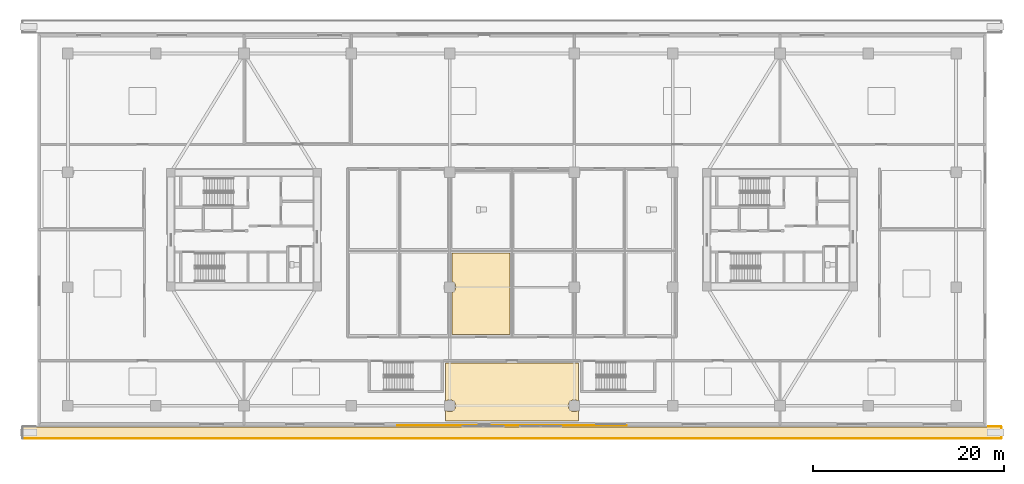
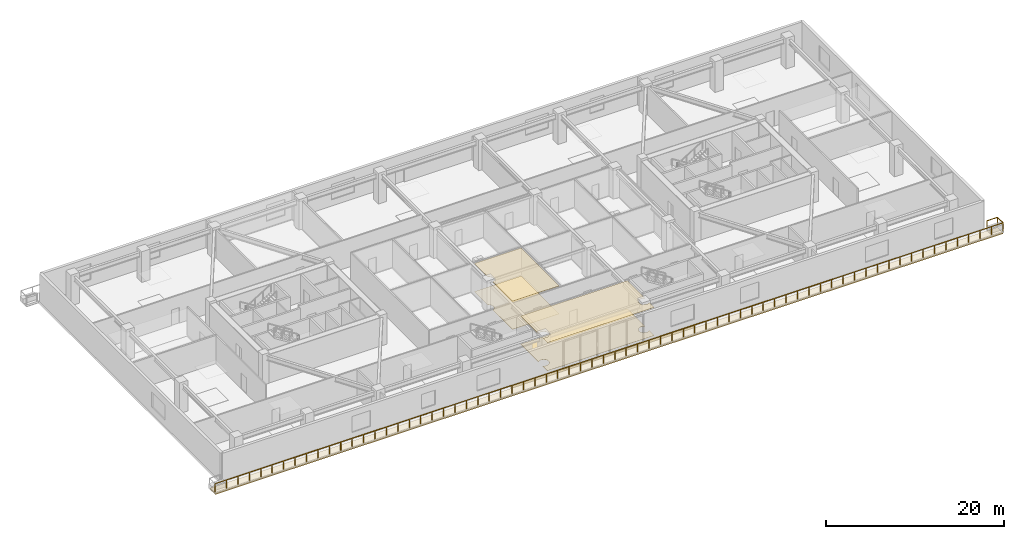
# One storey, part 15 of 22: 6 coverings, 1 railing.
"""IFC4 building model written with IfcOpenShell, lengths in metres."""

from ifc_helpers import new_model, si_unit, direction, frame, origin, origin_2d, place, context, subcontext, project, spatial, polyline, rectangle, outline, extrude, source, transform, mapped, material, layer, layer_set, type_object, type_shapes, element, save


model = new_model("IFC4")

# Units and contexts
model_context = context("Model", 3, precision=1e-05, world=origin(), true_north=direction((0.0, 1.0)))
body_context = subcontext(model_context, "Body", "Model", "MODEL_VIEW")
ifc_project = project(units=[si_unit("LENGTHUNIT", "METRE"), si_unit("AREAUNIT", "SQUARE_METRE"), si_unit("VOLUMEUNIT", "CUBIC_METRE"), si_unit("PLANEANGLEUNIT", "RADIAN"), si_unit("MASSUNIT", "GRAM", prefix="KILO")], contexts=[model_context])

# Site, building, storey
site_placement = place(None, origin())
site = spatial("IfcSite", under=ifc_project, at=site_placement, CompositionType="ELEMENT")
building_placement = place(site_placement, origin())
building = spatial("IfcBuilding", under=site, at=building_placement, Name="Norrkilde Senior Care Towers", CompositionType="ELEMENT")
storey_placement = place(building_placement, frame((0.0, 0.0, 12.60009765625)))
storey = spatial("IfcBuildingStorey", under=building, at=storey_placement, Name="L03", CompositionType="ELEMENT", Elevation=12.60009765625)

# Covering
ifc_material_1 = material(Name="Nordic Ash Timber", Category="wood")
ifc_layer_1 = layer(ifc_material_1, 0.044921875)
ifc_layer_set_1 = layer_set([ifc_layer_1], Name="Nordic Ash Timber")
covering_type_1 = type_object("IfcCoveringType", Name="Acoustic Ash Timber Slatted Ceiling 45", PredefinedType="CEILING", material=ifc_layer_set_1)
covering_1_placement = place(storey_placement, frame((0.0, 0.0, 3.8349609375)))
element("IfcCovering", 1, at=covering_1_placement, inside=storey, type_object=covering_type_1, Name="L03 Suspended Ceiling 0078", PredefinedType="CEILING", context=body_context, shape_type="SweptSolid", body=[
    extrude(outline(polyline([(-0.219970703125, -10.97998046875), (-6.280029296875, -10.97998046875), (-6.280029296875, -6.5849609375), (-6.18505859375, -6.545654296875), (-6.054443359375, -6.445556640625), (-5.954345703125, -6.31494140625), (-5.891357421875, -6.1630859375), (-5.8701171875, -6.0), (-5.891357421875, -5.8369140625), (-5.954345703125, -5.68505859375), (-6.054443359375, -5.554443359375), (-6.18505859375, -5.454345703125), (-6.280029296875, -5.4150390625), (-6.280029296875, -2.419921875), (-0.219970703125, -2.419921875), (-0.219970703125, -10.97998046875)])), origin(), (0.0, 0.0, 1.0), 0.044921875),
])

# Railing
ifc_material_2 = material(Name="Anodised Aluminium", Category="aluminium")
railing_type = type_object("IfcRailingType", Name="Balcony Swirl Ribbon Guardrail 1150", PredefinedType="GUARDRAIL", material=ifc_material_2)
railing_placement = place(storey_placement, frame((49.758544921875, -20.5849609375, 0.0)))
element("IfcRailing", 2, at=railing_placement, inside=storey, type_object=railing_type, Name="L03 Perimeter Safety Guard 02", PredefinedType="GUARDRAIL", context=body_context, shape_type="SweptSolid", body=[
    extrude(rectangle(XDim=0.048095703125, YDim=0.048095703125, at=origin_2d()), frame((0.0, 0.0, 1.1259765625), z_axis=(1.0, 0.0, 0.0), x_axis=(0.0, 1.0, 0.0)), (0.0, 0.0, 1.0), 1.32080078125),
    extrude(rectangle(XDim=0.048095703125, YDim=0.048095703125, at=origin_2d()), frame((1.361572265625, -0.040771484375, 1.1259765625), z_axis=(0.0, -1.0, 0.0), x_axis=(1.0, 0.0, 0.0)), (0.0, 0.0, 1.0), 1.1533203125),
    extrude(rectangle(XDim=0.048095703125, YDim=0.048095703125, at=origin_2d()), frame((1.32080078125, -1.235107421875, 1.1259765625), z_axis=(-1.0, 0.0, 0.0), x_axis=(0.0, -1.0, 0.0)), (0.0, 0.0, 1.0), 102.199462890625),
    extrude(rectangle(XDim=0.0419921875, YDim=0.0419921875, at=origin_2d()), origin(), (0.0, 0.0, 1.0), 1.099853515625),
    extrude(rectangle(XDim=0.0419921875, YDim=0.0419921875, at=origin_2d()), frame((1.361572265625, 0.0, 0.0)), (0.0, 0.0, 1.0), 1.099853515625),
    extrude(rectangle(XDim=0.0419921875, YDim=0.0419921875, at=origin_2d()), frame((1.361572265625, -1.235107421875, 0.0)), (0.0, 0.0, 1.0), 1.099853515625),
    extrude(rectangle(XDim=0.0419921875, YDim=0.0419921875, at=origin_2d()), frame((-0.1201171875, -1.235107421875, 0.0)), (0.0, 0.0, 1.0), 1.099853515625),
    extrude(rectangle(XDim=0.0419921875, YDim=0.0419921875, at=origin_2d()), frame((-1.601806640625, -1.235107421875, 0.0)), (0.0, 0.0, 1.0), 1.099853515625),
    extrude(rectangle(XDim=0.0419921875, YDim=0.0419921875, at=origin_2d()), frame((-3.083740234375, -1.235107421875, 0.0)), (0.0, 0.0, 1.0), 1.099853515625),
    extrude(rectangle(XDim=0.0419921875, YDim=0.0419921875, at=origin_2d()), frame((-4.5654296875, -1.235107421875, 0.0)), (0.0, 0.0, 1.0), 1.099853515625),
    extrude(rectangle(XDim=0.0419921875, YDim=0.0419921875, at=origin_2d()), frame((-6.047119140625, -1.235107421875, 0.0)), (0.0, 0.0, 1.0), 1.099853515625),
    extrude(rectangle(XDim=0.0419921875, YDim=0.0419921875, at=origin_2d()), frame((-7.52880859375, -1.235107421875, 0.0)), (0.0, 0.0, 1.0), 1.099853515625),
    extrude(rectangle(XDim=0.0419921875, YDim=0.0419921875, at=origin_2d()), frame((-9.0107421875, -1.235107421875, 0.0)), (0.0, 0.0, 1.0), 1.099853515625),
    extrude(rectangle(XDim=0.0419921875, YDim=0.0419921875, at=origin_2d()), frame((-10.492431640625, -1.235107421875, 0.0)), (0.0, 0.0, 1.0), 1.099853515625),
    extrude(rectangle(XDim=0.0419921875, YDim=0.0419921875, at=origin_2d()), frame((-11.97412109375, -1.235107421875, 0.0)), (0.0, 0.0, 1.0), 1.099853515625),
    extrude(rectangle(XDim=0.0419921875, YDim=0.0419921875, at=origin_2d()), frame((-13.455810546875, -1.235107421875, 0.0)), (0.0, 0.0, 1.0), 1.099853515625),
    extrude(rectangle(XDim=0.0419921875, YDim=0.0419921875, at=origin_2d()), frame((-14.9375, -1.235107421875, 0.0)), (0.0, 0.0, 1.0), 1.099853515625),
    extrude(rectangle(XDim=0.0419921875, YDim=0.0419921875, at=origin_2d()), frame((-16.41943359375, -1.235107421875, 0.0)), (0.0, 0.0, 1.0), 1.099853515625),
    extrude(rectangle(XDim=0.0419921875, YDim=0.0419921875, at=origin_2d()), frame((-17.901123046875, -1.235107421875, 0.0)), (0.0, 0.0, 1.0), 1.099853515625),
    extrude(rectangle(XDim=0.0419921875, YDim=0.0419921875, at=origin_2d()), frame((-19.3828125, -1.235107421875, 0.0)), (0.0, 0.0, 1.0), 1.099853515625),
    extrude(rectangle(XDim=0.0419921875, YDim=0.0419921875, at=origin_2d()), frame((-20.864501953125, -1.235107421875, 0.0)), (0.0, 0.0, 1.0), 1.099853515625),
    extrude(rectangle(XDim=0.0419921875, YDim=0.0419921875, at=origin_2d()), frame((-22.34619140625, -1.235107421875, 0.0)), (0.0, 0.0, 1.0), 1.099853515625),
    extrude(rectangle(XDim=0.0419921875, YDim=0.0419921875, at=origin_2d()), frame((-23.828125, -1.235107421875, 0.0)), (0.0, 0.0, 1.0), 1.099853515625),
    extrude(rectangle(XDim=0.0419921875, YDim=0.0419921875, at=origin_2d()), frame((-25.309814453125, -1.235107421875, 0.0)), (0.0, 0.0, 1.0), 1.099853515625),
    extrude(rectangle(XDim=0.0419921875, YDim=0.0419921875, at=origin_2d()), frame((-26.79150390625, -1.235107421875, 0.0)), (0.0, 0.0, 1.0), 1.099853515625),
    extrude(rectangle(XDim=0.0419921875, YDim=0.0419921875, at=origin_2d()), frame((-28.273193359375, -1.235107421875, 0.0)), (0.0, 0.0, 1.0), 1.099853515625),
    extrude(rectangle(XDim=0.0419921875, YDim=0.0419921875, at=origin_2d()), frame((-29.755126953125, -1.235107421875, 0.0)), (0.0, 0.0, 1.0), 1.099853515625),
    extrude(rectangle(XDim=0.0419921875, YDim=0.0419921875, at=origin_2d()), frame((-31.23681640625, -1.235107421875, 0.0)), (0.0, 0.0, 1.0), 1.099853515625),
    extrude(rectangle(XDim=0.0419921875, YDim=0.0419921875, at=origin_2d()), frame((-32.718505859375, -1.235107421875, 0.0)), (0.0, 0.0, 1.0), 1.099853515625),
    extrude(rectangle(XDim=0.0419921875, YDim=0.0419921875, at=origin_2d()), frame((-34.2001953125, -1.235107421875, 0.0)), (0.0, 0.0, 1.0), 1.099853515625),
    extrude(rectangle(XDim=0.0419921875, YDim=0.0419921875, at=origin_2d()), frame((-35.681884765625, -1.235107421875, 0.0)), (0.0, 0.0, 1.0), 1.099853515625),
    extrude(rectangle(XDim=0.0419921875, YDim=0.0419921875, at=origin_2d()), frame((-37.163818359375, -1.235107421875, 0.0)), (0.0, 0.0, 1.0), 1.099853515625),
    extrude(rectangle(XDim=0.0419921875, YDim=0.0419921875, at=origin_2d()), frame((-38.6455078125, -1.235107421875, 0.0)), (0.0, 0.0, 1.0), 1.099853515625),
    extrude(rectangle(XDim=0.0419921875, YDim=0.0419921875, at=origin_2d()), frame((-40.127197265625, -1.235107421875, 0.0)), (0.0, 0.0, 1.0), 1.099853515625),
    extrude(rectangle(XDim=0.0419921875, YDim=0.0419921875, at=origin_2d()), frame((-41.60888671875, -1.235107421875, 0.0)), (0.0, 0.0, 1.0), 1.099853515625),
    extrude(rectangle(XDim=0.0419921875, YDim=0.0419921875, at=origin_2d()), frame((-43.0908203125, -1.235107421875, 0.0)), (0.0, 0.0, 1.0), 1.099853515625),
    extrude(rectangle(XDim=0.0419921875, YDim=0.0419921875, at=origin_2d()), frame((-44.572509765625, -1.235107421875, 0.0)), (0.0, 0.0, 1.0), 1.099853515625),
    extrude(rectangle(XDim=0.0419921875, YDim=0.0419921875, at=origin_2d()), frame((-46.05419921875, -1.235107421875, 0.0)), (0.0, 0.0, 1.0), 1.099853515625),
    extrude(rectangle(XDim=0.0419921875, YDim=0.0419921875, at=origin_2d()), frame((-47.535888671875, -1.235107421875, 0.0)), (0.0, 0.0, 1.0), 1.099853515625),
    extrude(rectangle(XDim=0.0419921875, YDim=0.0419921875, at=origin_2d()), frame((-49.017578125, -1.235107421875, 0.0)), (0.0, 0.0, 1.0), 1.099853515625),
    extrude(rectangle(XDim=0.0419921875, YDim=0.0419921875, at=origin_2d()), frame((-50.49951171875, -1.235107421875, 0.0)), (0.0, 0.0, 1.0), 1.099853515625),
    extrude(rectangle(XDim=0.0419921875, YDim=0.0419921875, at=origin_2d()), frame((-51.981201171875, -1.235107421875, 0.0)), (0.0, 0.0, 1.0), 1.099853515625),
    extrude(rectangle(XDim=0.0419921875, YDim=0.0419921875, at=origin_2d()), frame((-53.462890625, -1.235107421875, 0.0)), (0.0, 0.0, 1.0), 1.099853515625),
    extrude(rectangle(XDim=0.0419921875, YDim=0.0419921875, at=origin_2d()), frame((-54.944580078125, -1.235107421875, 0.0)), (0.0, 0.0, 1.0), 1.099853515625),
    extrude(rectangle(XDim=0.0419921875, YDim=0.0419921875, at=origin_2d()), frame((-56.42626953125, -1.235107421875, 0.0)), (0.0, 0.0, 1.0), 1.099853515625),
    extrude(rectangle(XDim=0.0419921875, YDim=0.0419921875, at=origin_2d()), frame((-57.908203125, -1.235107421875, 0.0)), (0.0, 0.0, 1.0), 1.099853515625),
    extrude(rectangle(XDim=0.0419921875, YDim=0.0419921875, at=origin_2d()), frame((-59.389892578125, -1.235107421875, 0.0)), (0.0, 0.0, 1.0), 1.099853515625),
    extrude(rectangle(XDim=0.0419921875, YDim=0.0419921875, at=origin_2d()), frame((-60.87158203125, -1.235107421875, 0.0)), (0.0, 0.0, 1.0), 1.099853515625),
    extrude(rectangle(XDim=0.0419921875, YDim=0.0419921875, at=origin_2d()), frame((-62.353271484375, -1.235107421875, 0.0)), (0.0, 0.0, 1.0), 1.099853515625),
    extrude(rectangle(XDim=0.0419921875, YDim=0.0419921875, at=origin_2d()), frame((-63.835205078125, -1.235107421875, 0.0)), (0.0, 0.0, 1.0), 1.099853515625),
    extrude(rectangle(XDim=0.0419921875, YDim=0.0419921875, at=origin_2d()), frame((-65.31689453125, -1.235107421875, 0.0)), (0.0, 0.0, 1.0), 1.099853515625),
    extrude(rectangle(XDim=0.0419921875, YDim=0.0419921875, at=origin_2d()), frame((-66.798583984375, -1.235107421875, 0.0)), (0.0, 0.0, 1.0), 1.099853515625),
    extrude(rectangle(XDim=0.0419921875, YDim=0.0419921875, at=origin_2d()), frame((-68.2802734375, -1.235107421875, 0.0)), (0.0, 0.0, 1.0), 1.099853515625),
    extrude(rectangle(XDim=0.0419921875, YDim=0.0419921875, at=origin_2d()), frame((-69.761962890625, -1.235107421875, 0.0)), (0.0, 0.0, 1.0), 1.099853515625),
    extrude(rectangle(XDim=0.0419921875, YDim=0.0419921875, at=origin_2d()), frame((-71.243896484375, -1.235107421875, 0.0)), (0.0, 0.0, 1.0), 1.099853515625),
    extrude(rectangle(XDim=0.0419921875, YDim=0.0419921875, at=origin_2d()), frame((-72.7255859375, -1.235107421875, 0.0)), (0.0, 0.0, 1.0), 1.099853515625),
    extrude(rectangle(XDim=0.0419921875, YDim=0.0419921875, at=origin_2d()), frame((-74.207275390625, -1.235107421875, 0.0)), (0.0, 0.0, 1.0), 1.099853515625),
    extrude(rectangle(XDim=0.0419921875, YDim=0.0419921875, at=origin_2d()), frame((-75.68896484375, -1.235107421875, 0.0)), (0.0, 0.0, 1.0), 1.099853515625),
    extrude(rectangle(XDim=0.0419921875, YDim=0.0419921875, at=origin_2d()), frame((-77.1708984375, -1.235107421875, 0.0)), (0.0, 0.0, 1.0), 1.099853515625),
    extrude(rectangle(XDim=0.0419921875, YDim=0.0419921875, at=origin_2d()), frame((-78.652587890625, -1.235107421875, 0.0)), (0.0, 0.0, 1.0), 1.099853515625),
    extrude(rectangle(XDim=0.0419921875, YDim=0.0419921875, at=origin_2d()), frame((-80.13427734375, -1.235107421875, 0.0)), (0.0, 0.0, 1.0), 1.099853515625),
    extrude(rectangle(XDim=0.0419921875, YDim=0.0419921875, at=origin_2d()), frame((-81.615966796875, -1.235107421875, 0.0)), (0.0, 0.0, 1.0), 1.099853515625),
    extrude(rectangle(XDim=0.0419921875, YDim=0.0419921875, at=origin_2d()), frame((-83.09765625, -1.235107421875, 0.0)), (0.0, 0.0, 1.0), 1.099853515625),
    extrude(rectangle(XDim=0.0419921875, YDim=0.0419921875, at=origin_2d()), frame((-84.57958984375, -1.235107421875, 0.0)), (0.0, 0.0, 1.0), 1.099853515625),
    extrude(rectangle(XDim=0.0419921875, YDim=0.0419921875, at=origin_2d()), frame((-86.061279296875, -1.235107421875, 0.0)), (0.0, 0.0, 1.0), 1.099853515625),
    extrude(rectangle(XDim=0.0419921875, YDim=0.0419921875, at=origin_2d()), frame((-87.54296875, -1.235107421875, 0.0)), (0.0, 0.0, 1.0), 1.099853515625),
    extrude(rectangle(XDim=0.0419921875, YDim=0.0419921875, at=origin_2d()), frame((-89.024658203125, -1.235107421875, 0.0)), (0.0, 0.0, 1.0), 1.099853515625),
    extrude(rectangle(XDim=0.0419921875, YDim=0.0419921875, at=origin_2d()), frame((-90.50634765625, -1.235107421875, 0.0)), (0.0, 0.0, 1.0), 1.099853515625),
    extrude(rectangle(XDim=0.0419921875, YDim=0.0419921875, at=origin_2d()), frame((-91.98828125, -1.235107421875, 0.0)), (0.0, 0.0, 1.0), 1.099853515625),
    extrude(rectangle(XDim=0.0419921875, YDim=0.0419921875, at=origin_2d()), frame((-93.469970703125, -1.235107421875, 0.0)), (0.0, 0.0, 1.0), 1.099853515625),
    extrude(rectangle(XDim=0.0419921875, YDim=0.0419921875, at=origin_2d()), frame((-94.95166015625, -1.235107421875, 0.0)), (0.0, 0.0, 1.0), 1.099853515625),
    extrude(rectangle(XDim=0.0419921875, YDim=0.0419921875, at=origin_2d()), frame((-96.433349609375, -1.235107421875, 0.0)), (0.0, 0.0, 1.0), 1.099853515625),
    extrude(rectangle(XDim=0.0419921875, YDim=0.0419921875, at=origin_2d()), frame((-97.915283203125, -1.235107421875, 0.0)), (0.0, 0.0, 1.0), 1.099853515625),
    extrude(rectangle(XDim=0.0419921875, YDim=0.0419921875, at=origin_2d()), frame((-99.39697265625, -1.235107421875, 0.0)), (0.0, 0.0, 1.0), 1.099853515625),
    extrude(rectangle(XDim=0.0419921875, YDim=0.0419921875, at=origin_2d()), frame((-100.878662109375, -1.235107421875, 0.0)), (0.0, 0.0, 1.0), 1.099853515625),
])

# Coverings
ifc_material_3 = material(Name="EPDM Waterproofing and PIR Insulation")
ifc_layer_2 = layer(ifc_material_3, 0.159912109375)
ifc_layer_set_2 = layer_set([ifc_layer_2], Name="EPDM Waterproofing and PIR Insulation")
covering_type_2 = type_object("IfcCoveringType", Name="Insulated EPDM Roof Membrane 160", PredefinedType="ROOFING", material=ifc_layer_set_2)
covering_2_placement = place(storey_placement, frame((0.0, 0.0, -0.39013671875)))
element("IfcCovering", 3, at=covering_2_placement, inside=storey, type_object=covering_type_2, Name="L03 S Terrace Waterproof Membrane", PredefinedType="ROOFING", context=body_context, shape_type="SweptSolid", body=[
    extrude(outline(polyline([(-51.10009765625, -21.800048828125), (51.10009765625, -21.800048828125), (51.10009765625, -20.60498046875), (-51.10009765625, -20.60498046875), (-51.10009765625, -21.800048828125)])), origin(), (0.0, 0.0, 1.0), 0.16015625),
])
ifc_material_4 = material(Name="Gypsum Acoustic Board")
ifc_layer_3 = layer(ifc_material_4, 0.030029296875)
ifc_layer_set_3 = layer_set([ifc_layer_3], Name="Gypsum Acoustic Board")
covering_type_3 = type_object("IfcCoveringType", Name="Medical Cleanable Gypsum Ceiling 30", PredefinedType="CEILING", material=ifc_layer_set_3)
covering_3_placement = place(storey_placement, frame((0.0, 0.0, 3.849853515625)))
element("IfcCovering", 4, at=covering_3_placement, inside=storey, type_object=covering_type_3, Name="L03 Suspended Ceiling 0093", PredefinedType="CEILING", context=body_context, shape_type="SweptSolid", body=[
    extrude(outline(polyline([(-6.929931640625, -19.97998046875), (-6.929931640625, -18.857421875), (-6.81494140625, -18.945556640625), (-6.6630859375, -19.008544921875), (-6.5, -19.030029296875), (-6.3369140625, -19.008544921875), (-6.18505859375, -18.945556640625), (-6.054443359375, -18.845458984375), (-5.954345703125, -18.715087890625), (-5.891357421875, -18.56298828125), (-5.8701171875, -18.39990234375), (-5.891357421875, -18.237060546875), (-5.954345703125, -18.0849609375), (-6.054443359375, -17.95458984375), (-6.18505859375, -17.8544921875), (-6.3369140625, -17.79150390625), (-6.5, -17.77001953125), (-6.6630859375, -17.79150390625), (-6.81494140625, -17.8544921875), (-6.929931640625, -17.942626953125), (-6.929931640625, -13.93994140625), (6.929931640625, -13.93994140625), (6.929931640625, -17.942626953125), (6.81494140625, -17.8544921875), (6.6630859375, -17.79150390625), (6.5, -17.77001953125), (6.3369140625, -17.79150390625), (6.18505859375, -17.8544921875), (6.054443359375, -17.95458984375), (5.954345703125, -18.0849609375), (5.891357421875, -18.237060546875), (5.8701171875, -18.39990234375), (5.891357421875, -18.56298828125), (5.954345703125, -18.715087890625), (6.054443359375, -18.845458984375), (6.18505859375, -18.945556640625), (6.3369140625, -19.008544921875), (6.5, -19.030029296875), (6.6630859375, -19.008544921875), (6.81494140625, -18.945556640625), (6.929931640625, -18.857421875), (6.929931640625, -19.97998046875), (-6.929931640625, -19.97998046875)])), origin(), (0.0, 0.0, 1.0), 0.030029296875),
])
ifc_material_5 = material(Name="Slip-Resistant Porcelain Stone", Category="masonry")
ifc_layer_4 = layer(ifc_material_5, 0.02490234375)
ifc_layer_set_4 = layer_set([ifc_layer_4], Name="Slip-Resistant Porcelain Stone")
covering_type_4 = type_object("IfcCoveringType", Name="Slip-Resistant Porcelain Flooring 25", PredefinedType="FLOORING", material=ifc_layer_set_4)
covering_4_placement = place(storey_placement, origin())
element("IfcCovering", 5, at=covering_4_placement, inside=storey, type_object=covering_type_4, Name="L03 Floor Finish 0078", PredefinedType="FLOORING", context=body_context, shape_type="SweptSolid", body=[
    extrude(outline(polyline([(-0.219970703125, -10.97998046875), (-6.280029296875, -10.97998046875), (-6.280029296875, -6.5849609375), (-6.18505859375, -6.545654296875), (-6.054443359375, -6.445556640625), (-5.954345703125, -6.31494140625), (-5.891357421875, -6.1630859375), (-5.8701171875, -6.0), (-5.891357421875, -5.8369140625), (-5.954345703125, -5.68505859375), (-6.054443359375, -5.554443359375), (-6.18505859375, -5.454345703125), (-6.280029296875, -5.4150390625), (-6.280029296875, -2.419921875), (-0.219970703125, -2.419921875), (-0.219970703125, -10.97998046875)])), origin(), (0.0, 0.0, 1.0), 0.02490234375),
])
covering_5_placement = place(storey_placement, origin())
element("IfcCovering", 6, at=covering_5_placement, inside=storey, type_object=covering_type_4, Name="L03 Floor Finish 0093", PredefinedType="FLOORING", context=body_context, shape_type="SweptSolid", body=[
    extrude(outline(polyline([(-6.929931640625, -19.97998046875), (-6.929931640625, -18.857421875), (-6.81494140625, -18.945556640625), (-6.6630859375, -19.008544921875), (-6.5, -19.030029296875), (-6.3369140625, -19.008544921875), (-6.18505859375, -18.945556640625), (-6.054443359375, -18.845458984375), (-5.954345703125, -18.715087890625), (-5.891357421875, -18.56298828125), (-5.8701171875, -18.39990234375), (-5.891357421875, -18.237060546875), (-5.954345703125, -18.0849609375), (-6.054443359375, -17.95458984375), (-6.18505859375, -17.8544921875), (-6.3369140625, -17.79150390625), (-6.5, -17.77001953125), (-6.6630859375, -17.79150390625), (-6.81494140625, -17.8544921875), (-6.929931640625, -17.942626953125), (-6.929931640625, -13.93994140625), (6.929931640625, -13.93994140625), (6.929931640625, -17.942626953125), (6.81494140625, -17.8544921875), (6.6630859375, -17.79150390625), (6.5, -17.77001953125), (6.3369140625, -17.79150390625), (6.18505859375, -17.8544921875), (6.054443359375, -17.95458984375), (5.954345703125, -18.0849609375), (5.891357421875, -18.237060546875), (5.8701171875, -18.39990234375), (5.891357421875, -18.56298828125), (5.954345703125, -18.715087890625), (6.054443359375, -18.845458984375), (6.18505859375, -18.945556640625), (6.3369140625, -19.008544921875), (6.5, -19.030029296875), (6.6630859375, -19.008544921875), (6.81494140625, -18.945556640625), (6.929931640625, -18.857421875), (6.929931640625, -19.97998046875), (-6.929931640625, -19.97998046875)])), origin(), (0.0, 0.0, 1.0), 0.02490234375),
])
ifc_material_6 = material(Name="Architectural Terracotta", Category="masonry")
ifc_layer_5 = layer(ifc_material_6, 0.0400390625)
ifc_layer_set_5 = layer_set([ifc_layer_5], Name="Architectural Terracotta")
covering_type_5 = type_object("IfcCoveringType", Name="Glazed Terracotta Spandrel Cladding 40", PredefinedType="CLADDING", material=ifc_layer_set_5)
shared_shape = source(origin(), body_context, "Body", "SweptSolid", [
    extrude(rectangle(XDim=24.0, YDim=0.0400390625, at=origin_2d()), origin(), (0.0, 0.0, 1.0), 0.320068359375),
])
type_shapes(covering_type_5, [shared_shape])
covering_6_placement = place(storey_placement, frame((0.0, -20.47998046875, -0.3203125), z_axis=(0.0, 0.0, 1.0), x_axis=(1.0, 0.0, 0.0)))
element("IfcCovering", 7, at=covering_6_placement, inside=storey, type_object=covering_type_5, Name="L03 S Terracotta Spandrel Band", PredefinedType="CLADDING", context=body_context, shape_type="MappedRepresentation", body=[
    mapped(shared_shape, transform((0.0, 0.0, 0.0), x_axis=(1.0, 0.0, 0.0), y_axis=(0.0, 1.0, 0.0), z_axis=(0.0, 0.0, 1.0), scale=1.0)),
])

save(model, "model.ifc")
